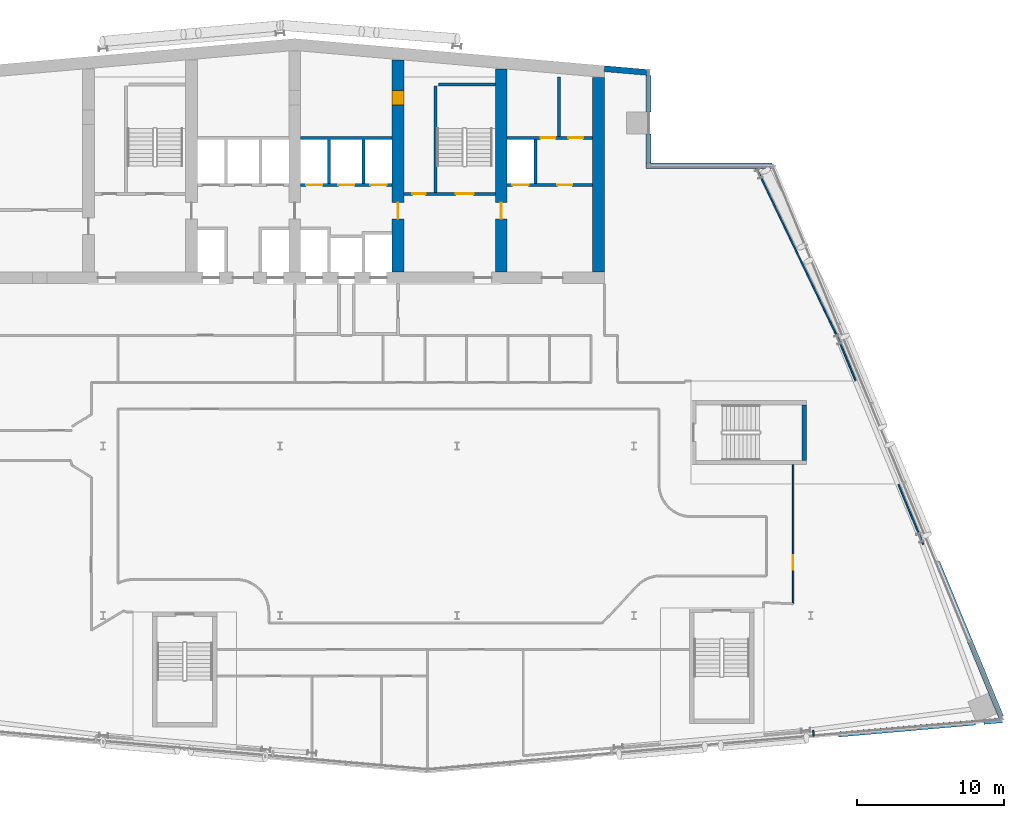
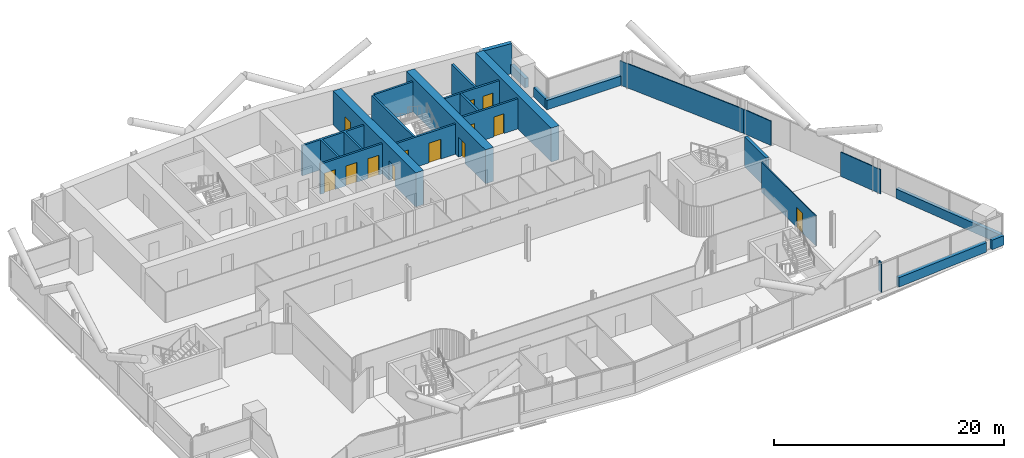
# One storey, part 19 of 27: 25 walls, 13 doors, 13 openings.
"""IFC4 building model written with IfcOpenShell, lengths in metres."""

from ifc_helpers import new_model, si_unit, direction, frame, frame_2d, origin, place, context, subcontext, project, spatial, polyline, rectangle, outline, extrude, material, layer, layer_set, type_object, element, fill, save


model = new_model("IFC4")

# Units and contexts
model_context = context("Model", 3, precision=1e-05, world=origin(), true_north=direction((0.0, 1.0)))
body_context = subcontext(model_context, "Body", "Model", "MODEL_VIEW")
ifc_project = project(units=[si_unit("LENGTHUNIT", "METRE"), si_unit("AREAUNIT", "SQUARE_METRE"), si_unit("VOLUMEUNIT", "CUBIC_METRE"), si_unit("PLANEANGLEUNIT", "RADIAN"), si_unit("MASSUNIT", "GRAM", prefix="KILO")], contexts=[model_context])

# Site, building, storey
site_placement = place(None, origin())
site = spatial("IfcSite", under=ifc_project, at=site_placement, CompositionType="ELEMENT")
building_placement = place(site_placement, origin())
building = spatial("IfcBuilding", under=site, at=building_placement, Name="Wharfspan Tower", CompositionType="ELEMENT")
storey_placement = place(building_placement, frame((0.0, 0.0, 159.100098)))
storey = spatial("IfcBuildingStorey", under=building, at=storey_placement, Name="L38", CompositionType="ELEMENT", Elevation=159.100098)

# Wall, opening, door
ifc_material_1 = material(Name="Gypsum board on steel studs", Category="steel")
ifc_layer_1 = layer(ifc_material_1, 0.100098)
ifc_layer_set_1 = layer_set([ifc_layer_1], Name="Gypsum board on steel studs")
wall_type_1 = type_object("IfcWallType", Name="Compartment wall 100 EI 60", PredefinedType="PARTITIONING", material=ifc_layer_set_1)
wall_1_placement = place(storey_placement, frame((70.800049, 12.284912, 0.0), z_axis=(0.0, 0.0, 1.0), x_axis=(0.0, 1.0, 0.0)))
wall_1 = element("IfcWall", 1, at=wall_1_placement, inside=storey, type_object=wall_type_1, Name="Partition L38.w102", PredefinedType="PARTITIONING", context=body_context, shape_type="SweptSolid", body=[
    extrude(rectangle(XDim=9.440186, YDim=0.100098, at=frame_2d((4.720215, 0.0))), origin(), (0.0, 0.0, 1.0), 3.199951),
])
opening_1_placement = place(wall_1_placement, frame((2.307617, 0.0, 0.0)))
opening_1 = element("IfcOpeningElement", 2, at=opening_1_placement, cuts=wall_1, Name="Opening C2-08", PredefinedType="OPENING", context=body_context, shape_type="SweptSolid", body=[
    extrude(rectangle(XDim=1.0, YDim=2.100098, at=frame_2d((0.5, 1.050049))), frame((0.0, 0.060059, 0.0), z_axis=(0.0, -1.0, 0.0), x_axis=(1.0, 0.0, 0.0)), (0.0, 0.0, 1.0), 0.120117),
])
ifc_material_2 = material(Name="Fire-rated timber door leaf in steel frame", Category="steel")
door_type_1 = type_object("IfcDoorType", Name="Door 1000 FD30S Left", OperationType="SINGLE_SWING_LEFT", PredefinedType="DOOR", material=ifc_material_2)
door_1_placement = place(opening_1_placement, origin())
door_1 = element("IfcDoor", 3, at=door_1_placement, inside=storey, type_object=door_type_1, Name="Door C2-08", OperationType="SINGLE_SWING_LEFT", OverallHeight=2.100098, OverallWidth=1.0, PredefinedType="DOOR", context=body_context, shape_type="SweptSolid", body=[
    extrude(rectangle(XDim=1.0, YDim=2.100098, at=frame_2d((0.5, 1.050049))), frame((0.0, 0.024902, 0.0), z_axis=(0.0, -1.0, 0.0), x_axis=(1.0, 0.0, 0.0)), (0.0, 0.0, 1.0), 0.050049),
])
fill(opening_1, door_1)

# Wall
ifc_material_3 = material(Name="Calcium silicate masonry", Category="masonry")
ifc_layer_2 = layer(ifc_material_3, 0.199951)
ifc_layer_set_2 = layer_set([ifc_layer_2], Name="Calcium silicate masonry")
wall_type_2 = type_object("IfcWallType", Name="Core room wall 200", PredefinedType="PARTITIONING", material=ifc_layer_set_2)
wall_2_placement = place(storey_placement, frame((54.93335, 44.0, 0.0), z_axis=(0.0, 0.0, 1.0), x_axis=(0.0, 1.0, 0.0)))
element("IfcWall", 4, at=wall_2_placement, inside=storey, type_object=wall_type_2, Name="sw:L38:RP6.1", PredefinedType="PARTITIONING", context=body_context, shape_type="SweptSolid", body=[
    extrude(rectangle(XDim=4.03418, YDim=0.199951, at=frame_2d((2.01709, 0.0))), origin(), (0.0, 0.0, 1.0), 3.199951),
])

# Wall, openings, doors
ifc_material_4 = material(Name="Concrete C60/75", Category="concrete")
ifc_layer_3 = layer(ifc_material_4, 0.800049)
ifc_layer_set_3 = layer_set([ifc_layer_3], Name="Concrete C60/75")
wall_type_3 = type_object("IfcWallType", Name="Core wall 800 C60/75", PredefinedType="SHEAR", material=ifc_layer_set_3)
wall_3_placement = place(storey_placement, frame((44.0, 34.800049, 0.0), z_axis=(0.0, 0.0, 1.0), x_axis=(0.0, 1.0, 0.0)))
wall_3 = element("IfcWall", 5, at=wall_3_placement, inside=storey, type_object=wall_type_3, Name="Core cross wall X5 L38", PredefinedType="SHEAR", context=body_context, shape_type="SweptSolid", body=[
    extrude(rectangle(XDim=14.374023, YDim=0.800049, at=frame_2d((7.187012, 0.0))), origin(), (0.0, 0.0, 1.0), 3.599854),
])
opening_2_placement = place(wall_3_placement, frame((11.312012, 0.0, 0.0)))
opening_2 = element("IfcOpeningElement", 6, at=opening_2_placement, cuts=wall_3, Name="Opening CD38.4X", PredefinedType="OPENING", context=body_context, shape_type="SweptSolid", body=[
    extrude(rectangle(XDim=1.0, YDim=2.100098, at=frame_2d((0.5, 1.050049))), frame((0.0, 0.409912, 0.0), z_axis=(0.0, -1.0, 0.0), x_axis=(1.0, 0.0, 0.0)), (0.0, 0.0, 1.0), 0.820068),
])
opening_3_placement = place(wall_3_placement, frame((3.600098, 0.0, 0.0)))
opening_3 = element("IfcOpeningElement", 7, at=opening_3_placement, cuts=wall_3, Name="Opening CC38.5", PredefinedType="OPENING", context=body_context, shape_type="SweptSolid", body=[
    extrude(rectangle(XDim=1.100098, YDim=2.100098, at=frame_2d((0.550049, 1.050049))), frame((0.0, 0.409912, 0.0), z_axis=(0.0, -1.0, 0.0), x_axis=(1.0, 0.0, 0.0)), (0.0, 0.0, 1.0), 0.820068),
])
ifc_material_5 = material(Name="Steel door leaf", Category="steel")
door_type_2 = type_object("IfcDoorType", Name="Core corridor door 1100x2100", OperationType="SINGLE_SWING_LEFT", PredefinedType="DOOR", material=ifc_material_5)
door_2_placement = place(opening_3_placement, origin())
door_2 = element("IfcDoor", 8, at=door_2_placement, inside=storey, type_object=door_type_2, Name="xd:L38:5", OperationType="SINGLE_SWING_LEFT", OverallHeight=2.100098, OverallWidth=1.100098, PredefinedType="DOOR", context=body_context, shape_type="SweptSolid", body=[
    extrude(rectangle(XDim=1.100098, YDim=2.100098, at=frame_2d((0.550049, 1.050049))), frame((0.0, 0.024902, 0.0), z_axis=(0.0, -1.0, 0.0), x_axis=(1.0, 0.0, 0.0)), (0.0, 0.0, 1.0), 0.050049),
])
fill(opening_3, door_2)
door_type_3 = type_object("IfcDoorType", Name="Core room door 1000x2100", OperationType="SINGLE_SWING_LEFT", PredefinedType="DOOR", material=ifc_material_5)
door_3_placement = place(opening_2_placement, origin())
door_3 = element("IfcDoor", 9, at=door_3_placement, inside=storey, type_object=door_type_3, Name="d:L38:4:sx", OperationType="SINGLE_SWING_LEFT", OverallHeight=2.100098, OverallWidth=1.0, PredefinedType="DOOR", context=body_context, shape_type="SweptSolid", body=[
    extrude(rectangle(XDim=1.0, YDim=2.100098, at=frame_2d((0.5, 1.050049))), frame((0.0, 0.399902, 0.0), z_axis=(0.0, -1.0, 0.0), x_axis=(1.0, 0.0, 0.0)), (0.0, 0.0, 1.0), 0.799561),
])
fill(opening_2, door_3)

# Wall, opening, door
wall_4_placement = place(storey_placement, frame((51.0, 34.800049, 0.0), z_axis=(0.0, 0.0, 1.0), x_axis=(0.0, 1.0, 0.0)))
wall_4 = element("IfcWall", 10, at=wall_4_placement, inside=storey, type_object=wall_type_3, Name="Core cross wall X6 L38", PredefinedType="SHEAR", context=body_context, shape_type="SweptSolid", body=[
    extrude(rectangle(XDim=13.761719, YDim=0.800049, at=frame_2d((6.880859, 0.0))), origin(), (0.0, 0.0, 1.0), 3.599854),
])
opening_4_placement = place(wall_4_placement, frame((3.600098, 0.0, 0.0)))
opening_4 = element("IfcOpeningElement", 11, at=opening_4_placement, cuts=wall_4, Name="Opening CC38.6", PredefinedType="OPENING", context=body_context, shape_type="SweptSolid", body=[
    extrude(rectangle(XDim=1.100098, YDim=2.100098, at=frame_2d((0.550049, 1.050049))), frame((0.0, 0.409912, 0.0), z_axis=(0.0, -1.0, 0.0), x_axis=(1.0, 0.0, 0.0)), (0.0, 0.0, 1.0), 0.820068),
])
door_4_placement = place(opening_4_placement, origin())
door_4 = element("IfcDoor", 12, at=door_4_placement, inside=storey, type_object=door_type_2, Name="xd:L38:6", OperationType="SINGLE_SWING_RIGHT", OverallHeight=2.100098, OverallWidth=1.100098, PredefinedType="DOOR", context=body_context, shape_type="SweptSolid", body=[
    extrude(rectangle(XDim=1.100098, YDim=2.100098, at=frame_2d((0.550049, 1.050049))), frame((0.0, 0.024902, 0.0), z_axis=(0.0, -1.0, 0.0), x_axis=(1.0, 0.0, 0.0)), (0.0, 0.0, 1.0), 0.050049),
])
fill(opening_4, door_4)

# Wall
wall_5_placement = place(storey_placement, frame((57.600098, 34.800049, 0.0), z_axis=(0.0, 0.0, 1.0), x_axis=(0.0, 1.0, 0.0)))
element("IfcWall", 13, at=wall_5_placement, inside=storey, type_object=wall_type_3, Name="Core cross wall EW1 L38", PredefinedType="SHEAR", context=body_context, shape_type="SweptSolid", body=[
    extrude(rectangle(XDim=13.184326, YDim=0.800049, at=frame_2d((6.592285, 0.0))), origin(), (0.0, 0.0, 1.0), 3.599854),
])

# Wall, openings, doors
ifc_material_6 = material(Name="Concrete C30/37", Category="concrete")
ifc_layer_4 = layer(ifc_material_6, 0.199951)
ifc_layer_set_4 = layer_set([ifc_layer_4], Name="Concrete C30/37")
wall_type_4 = type_object("IfcWallType", Name="Lift shaft wall 200", PredefinedType="PARTITIONING", material=ifc_layer_set_4)
wall_6_placement = place(storey_placement, frame((37.399902, 40.699951, 0.0), z_axis=(0.0, 0.0, 1.0), x_axis=(1.0, 0.0, 0.0)))
wall_6 = element("IfcWall", 14, at=wall_6_placement, inside=storey, type_object=wall_type_4, Name="sw:L38:RF4", PredefinedType="PARTITIONING", context=body_context, shape_type="SweptSolid", body=[
    extrude(rectangle(XDim=6.200195, YDim=0.199951, at=frame_2d((3.100098, 0.0))), origin(), (0.0, 0.0, 1.0), 3.199951),
])
opening_5_placement = place(wall_6_placement, frame((0.366699, 0.0, 0.0)))
opening_5 = element("IfcOpeningElement", 15, at=opening_5_placement, cuts=wall_6, Name="Opening LD.LB4.L38", PredefinedType="OPENING", context=body_context, shape_type="SweptSolid", body=[
    extrude(rectangle(XDim=1.100098, YDim=2.100098, at=frame_2d((0.550049, 1.050049))), frame((0.0, 0.109863, 0.0), z_axis=(0.0, -1.0, 0.0), x_axis=(1.0, 0.0, 0.0)), (0.0, 0.0, 1.0), 0.219971),
])
opening_6_placement = place(wall_6_placement, frame((2.550049, 0.0, 0.0)))
opening_6 = element("IfcOpeningElement", 16, at=opening_6_placement, cuts=wall_6, Name="Opening LD.LB5.L38", PredefinedType="OPENING", context=body_context, shape_type="SweptSolid", body=[
    extrude(rectangle(XDim=1.100098, YDim=2.100098, at=frame_2d((0.550049, 1.050049))), frame((0.0, 0.109863, 0.0), z_axis=(0.0, -1.0, 0.0), x_axis=(1.0, 0.0, 0.0)), (0.0, 0.0, 1.0), 0.219971),
])
opening_7_placement = place(wall_6_placement, frame((4.733398, 0.0, 0.0)))
opening_7 = element("IfcOpeningElement", 17, at=opening_7_placement, cuts=wall_6, Name="Opening LD.LB6.L38", PredefinedType="OPENING", context=body_context, shape_type="SweptSolid", body=[
    extrude(rectangle(XDim=1.100098, YDim=2.100098, at=frame_2d((0.550049, 1.050049))), frame((0.0, 0.109863, 0.0), z_axis=(0.0, -1.0, 0.0), x_axis=(1.0, 0.0, 0.0)), (0.0, 0.0, 1.0), 0.219971),
])
ifc_material_7 = material(Name="Stainless steel", Category="steel")
door_type_4 = type_object("IfcDoorType", Name="Lift landing door 1100x2100", OperationType="DOUBLE_DOOR_SLIDING", PredefinedType="DOOR", material=ifc_material_7)
door_5_placement = place(opening_5_placement, origin())
door_5 = element("IfcDoor", 18, at=door_5_placement, inside=storey, type_object=door_type_4, Name="Landing door LB4 L38", OperationType="DOUBLE_DOOR_SLIDING", OverallHeight=2.100098, OverallWidth=1.100098, PredefinedType="DOOR", context=body_context, shape_type="SweptSolid", body=[
    extrude(rectangle(XDim=1.100098, YDim=2.100098, at=frame_2d((0.550049, 1.050049))), frame((0.0, 0.024902, 0.0), z_axis=(0.0, -1.0, 0.0), x_axis=(1.0, 0.0, 0.0)), (0.0, 0.0, 1.0), 0.050049),
])
fill(opening_5, door_5)
door_6_placement = place(opening_6_placement, origin())
door_6 = element("IfcDoor", 19, at=door_6_placement, inside=storey, type_object=door_type_4, Name="Landing door LB5 L38", OperationType="DOUBLE_DOOR_SLIDING", OverallHeight=2.100098, OverallWidth=1.100098, PredefinedType="DOOR", context=body_context, shape_type="SweptSolid", body=[
    extrude(rectangle(XDim=1.100098, YDim=2.100098, at=frame_2d((0.550049, 1.050049))), frame((0.0, 0.024902, 0.0), z_axis=(0.0, -1.0, 0.0), x_axis=(1.0, 0.0, 0.0)), (0.0, 0.0, 1.0), 0.050049),
])
fill(opening_6, door_6)
door_7_placement = place(opening_7_placement, origin())
door_7 = element("IfcDoor", 20, at=door_7_placement, inside=storey, type_object=door_type_4, Name="Landing door LB6 L38", OperationType="DOUBLE_DOOR_SLIDING", OverallHeight=2.100098, OverallWidth=1.100098, PredefinedType="DOOR", context=body_context, shape_type="SweptSolid", body=[
    extrude(rectangle(XDim=1.100098, YDim=2.100098, at=frame_2d((0.550049, 1.050049))), frame((0.0, 0.024902, 0.0), z_axis=(0.0, -1.0, 0.0), x_axis=(1.0, 0.0, 0.0)), (0.0, 0.0, 1.0), 0.050049),
])
fill(opening_7, door_7)

# Wall
wall_7_placement = place(storey_placement, frame((0.0, 0.0, -0.000244)))
element("IfcWall", 21, at=wall_7_placement, inside=storey, type_object=wall_type_4, Name="sw:L38:RM4.0", PredefinedType="PARTITIONING", context=body_context, shape_type="SweptSolid", body=[
    extrude(outline(polyline([(39.43335, 40.800049), (39.233398, 40.800049), (39.233398, 43.800049), (37.399902, 43.800049), (37.399902, 44.0), (43.600098, 44.0), (43.600098, 43.800049), (41.766602, 43.800049), (41.766602, 40.800049), (41.56665, 40.800049), (41.56665, 43.800049), (39.43335, 43.800049), (39.43335, 40.800049)])), origin(), (0.0, 0.0, 1.0), 3.200195),
])

# Wall, openings, doors
wall_8_placement = place(storey_placement, frame((51.399902, 40.699951, 0.0), z_axis=(0.0, 0.0, 1.0), x_axis=(1.0, 0.0, 0.0)))
wall_8 = element("IfcWall", 22, at=wall_8_placement, inside=storey, type_object=wall_type_4, Name="sw:L38:RF6", PredefinedType="PARTITIONING", context=body_context, shape_type="SweptSolid", body=[
    extrude(rectangle(XDim=5.800049, YDim=0.199951, at=frame_2d((2.899902, 0.0))), origin(), (0.0, 0.0, 1.0), 3.199951),
])
opening_8_placement = place(wall_8_placement, frame((0.366699, 0.0, 0.0)))
opening_8 = element("IfcOpeningElement", 23, at=opening_8_placement, cuts=wall_8, Name="Opening LD.LB8.L38", PredefinedType="OPENING", context=body_context, shape_type="SweptSolid", body=[
    extrude(rectangle(XDim=1.100098, YDim=2.100098, at=frame_2d((0.550049, 1.050049))), frame((0.0, 0.109863, 0.0), z_axis=(0.0, -1.0, 0.0), x_axis=(1.0, 0.0, 0.0)), (0.0, 0.0, 1.0), 0.219971),
])
opening_9_placement = place(wall_8_placement, frame((3.416748, 0.0, 0.0)))
opening_9 = element("IfcOpeningElement", 24, at=opening_9_placement, cuts=wall_8, Name="Opening CD38.6R2", PredefinedType="OPENING", context=body_context, shape_type="SweptSolid", body=[
    extrude(rectangle(XDim=1.0, YDim=2.100098, at=frame_2d((0.5, 1.050049))), frame((0.0, 0.109863, 0.0), z_axis=(0.0, -1.0, 0.0), x_axis=(1.0, 0.0, 0.0)), (0.0, 0.0, 1.0), 0.219971),
])
door_8_placement = place(opening_9_placement, origin())
door_8 = element("IfcDoor", 25, at=door_8_placement, inside=storey, type_object=door_type_3, Name="d:L38:6:rd6.2", OperationType="SINGLE_SWING_RIGHT", OverallHeight=2.100098, OverallWidth=1.0, PredefinedType="DOOR", context=body_context, shape_type="SweptSolid", body=[
    extrude(rectangle(XDim=1.0, YDim=2.100098, at=frame_2d((0.5, 1.050049))), frame((0.0, 0.024902, 0.0), z_axis=(0.0, -1.0, 0.0), x_axis=(1.0, 0.0, 0.0)), (0.0, 0.0, 1.0), 0.050049),
])
fill(opening_9, door_8)
door_9_placement = place(opening_8_placement, origin())
door_9 = element("IfcDoor", 26, at=door_9_placement, inside=storey, type_object=door_type_4, Name="Landing door LB8 L38", OperationType="DOUBLE_DOOR_SLIDING", OverallHeight=2.100098, OverallWidth=1.100098, PredefinedType="DOOR", context=body_context, shape_type="SweptSolid", body=[
    extrude(rectangle(XDim=1.100098, YDim=2.100098, at=frame_2d((0.550049, 1.050049))), frame((0.0, 0.024902, 0.0), z_axis=(0.0, -1.0, 0.0), x_axis=(1.0, 0.0, 0.0)), (0.0, 0.0, 1.0), 0.050049),
])
fill(opening_8, door_9)

wall_9_placement = place(storey_placement, frame((51.399902, 43.899902, 0.0), z_axis=(0.0, 0.0, 1.0), x_axis=(1.0, 0.0, 0.0)))
wall_9 = element("IfcWall", 27, at=wall_9_placement, inside=storey, type_object=wall_type_4, Name="sw:L38:RR6", PredefinedType="PARTITIONING", context=body_context, shape_type="SweptSolid", body=[
    extrude(rectangle(XDim=5.800049, YDim=0.199951, at=frame_2d((2.899902, 0.0))), origin(), (0.0, 0.0, 1.0), 3.199951),
])
opening_10_placement = place(wall_9_placement, frame((2.283203, 0.0, 0.0)))
opening_10 = element("IfcOpeningElement", 28, at=opening_10_placement, cuts=wall_9, Name="Opening CD38.6S2", PredefinedType="OPENING", context=body_context, shape_type="SweptSolid", body=[
    extrude(rectangle(XDim=1.0, YDim=2.100098, at=frame_2d((0.5, 1.050049))), frame((0.0, 0.109863, 0.0), z_axis=(0.0, -1.0, 0.0), x_axis=(1.0, 0.0, 0.0)), (0.0, 0.0, 1.0), 0.219971),
])
opening_11_placement = place(wall_9_placement, frame((4.166748, 0.0, 0.0)))
opening_11 = element("IfcOpeningElement", 29, at=opening_11_placement, cuts=wall_9, Name="Opening CD38.6S2a", PredefinedType="OPENING", context=body_context, shape_type="SweptSolid", body=[
    extrude(rectangle(XDim=1.0, YDim=2.100098, at=frame_2d((0.5, 1.050049))), frame((0.0, 0.109863, 0.0), z_axis=(0.0, -1.0, 0.0), x_axis=(1.0, 0.0, 0.0)), (0.0, 0.0, 1.0), 0.219971),
])
door_10_placement = place(opening_10_placement, origin())
door_10 = element("IfcDoor", 30, at=door_10_placement, inside=storey, type_object=door_type_3, Name="d:L38:6:rs6.2", OperationType="SINGLE_SWING_LEFT", OverallHeight=2.100098, OverallWidth=1.0, PredefinedType="DOOR", context=body_context, shape_type="SweptSolid", body=[
    extrude(rectangle(XDim=1.0, YDim=2.100098, at=frame_2d((0.5, 1.050049))), frame((0.0, 0.024902, 0.0), z_axis=(0.0, -1.0, 0.0), x_axis=(1.0, 0.0, 0.0)), (0.0, 0.0, 1.0), 0.050049),
])
fill(opening_10, door_10)
door_11_placement = place(opening_11_placement, origin())
door_11 = element("IfcDoor", 31, at=door_11_placement, inside=storey, type_object=door_type_3, Name="d:L38:6:rs6.2a", OperationType="SINGLE_SWING_LEFT", OverallHeight=2.100098, OverallWidth=1.0, PredefinedType="DOOR", context=body_context, shape_type="SweptSolid", body=[
    extrude(rectangle(XDim=1.0, YDim=2.100098, at=frame_2d((0.5, 1.050049))), frame((0.0, 0.024902, 0.0), z_axis=(0.0, -1.0, 0.0), x_axis=(1.0, 0.0, 0.0)), (0.0, 0.0, 1.0), 0.050049),
])
fill(opening_11, door_11)

# Walls
wall_10_placement = place(storey_placement, frame((0.0, 0.0, -0.000244)))
element("IfcWall", 32, at=wall_10_placement, inside=storey, type_object=wall_type_4, Name="sw:L38:RM6.0", PredefinedType="PARTITIONING", context=body_context, shape_type="SweptSolid", body=[
    extrude(outline(polyline([(53.43335, 40.800049), (53.43335, 43.800049), (53.233398, 43.800049), (53.233398, 40.800049), (53.43335, 40.800049)])), origin(), (0.0, 0.0, 1.0), 3.200195),
])
ifc_layer_5 = layer(ifc_material_1, 0.100098)
ifc_layer_set_5 = layer_set([ifc_layer_5], Name="Gypsum board on steel studs")
wall_type_5 = type_object("IfcWallType", Name="Partition 100", PredefinedType="PARTITIONING", material=ifc_layer_set_5)
wall_11_placement = place(storey_placement, frame((72.198242, 3.300049, 0.0), z_axis=(0.0, 0.0, 1.0), x_axis=(-0.083759, 0.996486, 0.0)))
element("IfcWall", 33, at=wall_11_placement, inside=storey, type_object=wall_type_5, Name="Partition L38.w103", PredefinedType="PARTITIONING", context=body_context, shape_type="SweptSolid", body=[
    extrude(rectangle(XDim=0.396484, YDim=0.100098, at=frame_2d((0.198242, 0.0))), origin(), (0.0, 0.0, 1.0), 3.199951),
])
wall_12_placement = place(storey_placement, frame((73.88501, 30.22998, 0.0), z_axis=(0.0, 0.0, 1.0), x_axis=(-0.432167, 0.90179, 0.0)))
element("IfcWall", 34, at=wall_12_placement, inside=storey, type_object=wall_type_5, Name="Partition L38.w104", PredefinedType="PARTITIONING", context=body_context, shape_type="SweptSolid", body=[
    extrude(rectangle(XDim=13.036133, YDim=0.100098, at=frame_2d((6.518066, 0.0))), origin(), (0.0, 0.0, 1.0), 2.579834),
])
wall_13_placement = place(storey_placement, frame((75.046631, 27.419922, 0.0), z_axis=(0.0, 0.0, 1.0), x_axis=(-0.382024, 0.924148, 0.0)))
element("IfcWall", 35, at=wall_13_placement, inside=storey, type_object=wall_type_5, Name="Partition L38.w105", PredefinedType="PARTITIONING", context=body_context, shape_type="SweptSolid", body=[
    extrude(rectangle(XDim=3.040771, YDim=0.100098, at=frame_2d((1.520508, 0.0))), origin(), (0.0, 0.0, 1.0), 2.579834),
])
wall_14_placement = place(storey_placement, frame((79.629883, 16.310059, 0.0), z_axis=(0.0, 0.0, 1.0), x_axis=(-0.380933, 0.9246, 0.0)))
element("IfcWall", 36, at=wall_14_placement, inside=storey, type_object=wall_type_5, Name="Partition L38.w106", PredefinedType="PARTITIONING", context=body_context, shape_type="SweptSolid", body=[
    extrude(rectangle(XDim=4.401611, YDim=0.100098, at=frame_2d((2.200684, 0.0))), origin(), (0.0, 0.0, 1.0), 2.579834),
])
ifc_material_8 = material(Name="Concrete C40/50", Category="concrete")
ifc_layer_6 = layer(ifc_material_8, 0.350098)
ifc_layer_set_6 = layer_set([ifc_layer_6], Name="Concrete C40/50")
wall_type_6 = type_object("IfcWallType", Name="SPANDREL EXPOSED CONCRETE 350", PredefinedType="SOLIDWALL", material=ifc_layer_set_6)
wall_15_placement = place(storey_placement, frame((73.887451, 3.422852, 0.0), z_axis=(0.0, 0.0, 1.0), x_axis=(0.996197, 0.087145, 0.0)))
element("IfcWall", 37, at=wall_15_placement, inside=storey, type_object=wall_type_6, Name="Spandrel upstand L38 S2 2", PredefinedType="SOLIDWALL", context=body_context, shape_type="SweptSolid", body=[
    extrude(rectangle(XDim=9.323486, YDim=0.350098, at=frame_2d((4.661621, 0.0))), origin(), (0.0, 0.0, 1.0), 1.0),
])
wall_16_placement = place(storey_placement, frame((83.744629, 4.285156, 0.0), z_axis=(0.0, 0.0, 1.0), x_axis=(0.996198, 0.087148, 0.0)))
element("IfcWall", 38, at=wall_16_placement, inside=storey, type_object=wall_type_6, Name="Spandrel upstand L38 S2 3", PredefinedType="SOLIDWALL", context=body_context, shape_type="SweptSolid", body=[
    extrude(rectangle(XDim=1.260742, YDim=0.350098, at=frame_2d((0.630371, 0.0))), origin(), (0.0, 0.0, 1.0), 1.0),
])
wall_17_placement = place(storey_placement, frame((84.91626, 4.615967, 0.0), z_axis=(0.0, 0.0, 1.0), x_axis=(-0.381598, 0.924328, 0.0)))
element("IfcWall", 39, at=wall_17_placement, inside=storey, type_object=wall_type_6, Name="Spandrel upstand L38 E", PredefinedType="SOLIDWALL", context=body_context, shape_type="SweptSolid", body=[
    extrude(rectangle(XDim=11.360596, YDim=0.350098, at=frame_2d((5.680176, 0.0))), origin(), (0.0, 0.0, 1.0), 1.0),
])
wall_18_placement = place(storey_placement, frame((69.366211, 42.004883, 0.0), z_axis=(0.0, 0.0, 1.0), x_axis=(-1.0, 0.0, 0.0)))
element("IfcWall", 40, at=wall_18_placement, inside=storey, type_object=wall_type_6, Name="Spandrel upstand L38 NRE-H", PredefinedType="SOLIDWALL", context=body_context, shape_type="SweptSolid", body=[
    extrude(rectangle(XDim=8.536133, YDim=0.350098, at=frame_2d((4.268066, 0.0))), origin(), (0.0, 0.0, 1.0), 1.0),
])
wall_19_placement = place(storey_placement, frame((61.004883, 42.179932, 0.0), z_axis=(0.0, 0.0, 1.0), x_axis=(0.0, 1.0, 0.0)))
element("IfcWall", 41, at=wall_19_placement, inside=storey, type_object=wall_type_6, Name="Spandrel upstand L38 NRE-V", PredefinedType="SOLIDWALL", context=body_context, shape_type="SweptSolid", body=[
    extrude(rectangle(XDim=1.969971, YDim=0.350098, at=frame_2d((0.984863, 0.0))), origin(), (0.0, 0.0, 1.0), 1.0),
])
wall_20_placement = place(storey_placement, frame((61.004883, 45.649902, 0.0), z_axis=(0.0, 0.0, 1.0), x_axis=(0.0, 1.0, 0.0)))
element("IfcWall", 42, at=wall_20_placement, inside=storey, type_object=wall_type_6, Name="Spandrel upstand L38 NRE-V 2", PredefinedType="SOLIDWALL", context=body_context, shape_type="SweptSolid", body=[
    extrude(rectangle(XDim=2.476562, YDim=0.350098, at=frame_2d((1.238281, 0.0))), origin(), (0.0, 0.0, 1.0), 1.0),
])
ifc_layer_7 = layer(ifc_material_8, 0.300049)
ifc_layer_set_7 = layer_set([ifc_layer_7], Name="Concrete C40/50")
wall_type_7 = type_object("IfcWallType", Name="Stair core wall 300", PredefinedType="SHEAR", material=ifc_layer_set_7)
wall_21_placement = place(storey_placement, frame((71.554688, 22.024902, 0.0), z_axis=(0.0, 0.0, 1.0), x_axis=(0.0, 1.0, 0.0)))
element("IfcWall", 43, at=wall_21_placement, inside=storey, type_object=wall_type_7, Name="ST6 stair enclosure wall L38", PredefinedType="SHEAR", context=body_context, shape_type="SweptSolid", body=[
    extrude(rectangle(XDim=3.75, YDim=0.300049, at=frame_2d((1.875, 0.0))), origin(), (0.0, 0.0, 1.0), 3.199951),
])

# Wall, openings, doors
ifc_layer_8 = layer(ifc_material_8, 0.199951)
ifc_layer_set_8 = layer_set([ifc_layer_8], Name="Concrete C40/50")
wall_type_8 = type_object("IfcWallType", Name="Stair shaft wall 200", PredefinedType="SHEAR", material=ifc_layer_set_8)
wall_22_placement = place(storey_placement, frame((44.399902, 40.100098, 0.0), z_axis=(0.0, 0.0, 1.0), x_axis=(1.0, 0.0, 0.0)))
wall_22 = element("IfcWall", 44, at=wall_22_placement, inside=storey, type_object=wall_type_8, Name="ST2 stair enclosure wall L38", PredefinedType="SHEAR", context=body_context, shape_type="SweptSolid", body=[
    extrude(rectangle(XDim=6.200195, YDim=0.199951, at=frame_2d((3.100098, 0.0))), origin(), (0.0, 0.0, 1.0), 3.199951),
])
opening_12_placement = place(wall_22_placement, frame((3.524902, 0.0, 0.0)))
opening_12 = element("IfcOpeningElement", 45, at=opening_12_placement, cuts=wall_22, Name="Opening SD5.L38", PredefinedType="OPENING", context=body_context, shape_type="SweptSolid", body=[
    extrude(rectangle(XDim=1.199951, YDim=2.100098, at=frame_2d((0.600098, 1.050049))), frame((0.0, 0.109863, 0.0), z_axis=(0.0, -1.0, 0.0), x_axis=(1.0, 0.0, 0.0)), (0.0, 0.0, 1.0), 0.219971),
])
opening_13_placement = place(wall_22_placement, frame((0.574951, 0.0, 0.0)))
opening_13 = element("IfcOpeningElement", 46, at=opening_13_placement, cuts=wall_22, Name="Opening CD38.5R", PredefinedType="OPENING", context=body_context, shape_type="SweptSolid", body=[
    extrude(rectangle(XDim=0.899902, YDim=2.100098, at=frame_2d((0.449951, 1.050049))), frame((0.0, 0.109863, 0.0), z_axis=(0.0, -1.0, 0.0), x_axis=(1.0, 0.0, 0.0)), (0.0, 0.0, 1.0), 0.219971),
])
door_12_placement = place(opening_13_placement, origin())
door_12 = element("IfcDoor", 47, at=door_12_placement, inside=storey, type_object=door_type_3, Name="rk:L38:5", OperationType="SINGLE_SWING_LEFT", OverallHeight=2.100098, OverallWidth=0.899902, PredefinedType="DOOR", context=body_context, shape_type="SweptSolid", body=[
    extrude(rectangle(XDim=0.899902, YDim=2.100098, at=frame_2d((0.449951, 1.050049))), frame((0.0, 0.024902, 0.0), z_axis=(0.0, -1.0, 0.0), x_axis=(1.0, 0.0, 0.0)), (0.0, 0.0, 1.0), 0.050049),
])
fill(opening_13, door_12)
door_type_5 = type_object("IfcDoorType", Name="Stair door 1200x2100", OperationType="SINGLE_SWING_LEFT", PredefinedType="DOOR", material=ifc_material_5)
door_13_placement = place(opening_12_placement, origin())
door_13 = element("IfcDoor", 48, at=door_13_placement, inside=storey, type_object=door_type_5, Name="sd:L38:5", OperationType="SINGLE_SWING_RIGHT", OverallHeight=2.100098, OverallWidth=1.199951, PredefinedType="DOOR", context=body_context, shape_type="SweptSolid", body=[
    extrude(rectangle(XDim=1.199951, YDim=2.100098, at=frame_2d((0.600098, 1.050049))), frame((0.0, 0.024902, 0.0), z_axis=(0.0, -1.0, 0.0), x_axis=(1.0, 0.0, 0.0)), (0.0, 0.0, 1.0), 0.050049),
])
fill(opening_12, door_13)

# Walls
wall_23_placement = place(storey_placement, frame((46.550049, 40.199951, 0.0), z_axis=(0.0, 0.0, 1.0), x_axis=(0.0, 1.0, 0.0)))
element("IfcWall", 49, at=wall_23_placement, inside=storey, type_object=wall_type_8, Name="ST2 stair enclosure wall L38", PredefinedType="SHEAR", context=body_context, shape_type="SweptSolid", body=[
    extrude(rectangle(XDim=7.199951, YDim=0.199951, at=frame_2d((3.600098, 0.0))), origin(), (0.0, 0.0, 1.0), 3.199951),
])
wall_24_placement = place(storey_placement, frame((46.75, 47.5, 0.0), z_axis=(0.0, 0.0, 1.0), x_axis=(1.0, 0.0, 0.0)))
element("IfcWall", 50, at=wall_24_placement, inside=storey, type_object=wall_type_8, Name="ST2 stair enclosure wall L38", PredefinedType="SHEAR", context=body_context, shape_type="SweptSolid", body=[
    extrude(rectangle(XDim=3.850098, YDim=0.199951, at=frame_2d((1.925049, 0.0))), origin(), (0.0, 0.0, 1.0), 3.199951),
])
ifc_layer_9 = layer(ifc_material_8, 0.399902)
ifc_layer_set_9 = layer_set([ifc_layer_9], Name="Concrete C40/50")
wall_type_9 = type_object("IfcWallType", Name="WALL EXPOSED CONCRETE 400", PredefinedType="SOLIDWALL", material=ifc_layer_set_9)
wall_25_placement = place(storey_placement, frame((60.982666, 48.325684, 0.0), z_axis=(0.0, 0.0, 1.0), x_axis=(-0.996194, 0.087168, 0.0)))
element("IfcWall", 51, at=wall_25_placement, inside=storey, type_object=wall_type_9, Name="Rear wall N2", PredefinedType="SOLIDWALL", context=body_context, shape_type="SweptSolid", body=[
    extrude(rectangle(XDim=2.994141, YDim=0.399902, at=frame_2d((1.49707, 0.0))), origin(), (0.0, 0.0, 1.0), 3.199951),
])

save(model, "model.ifc")
